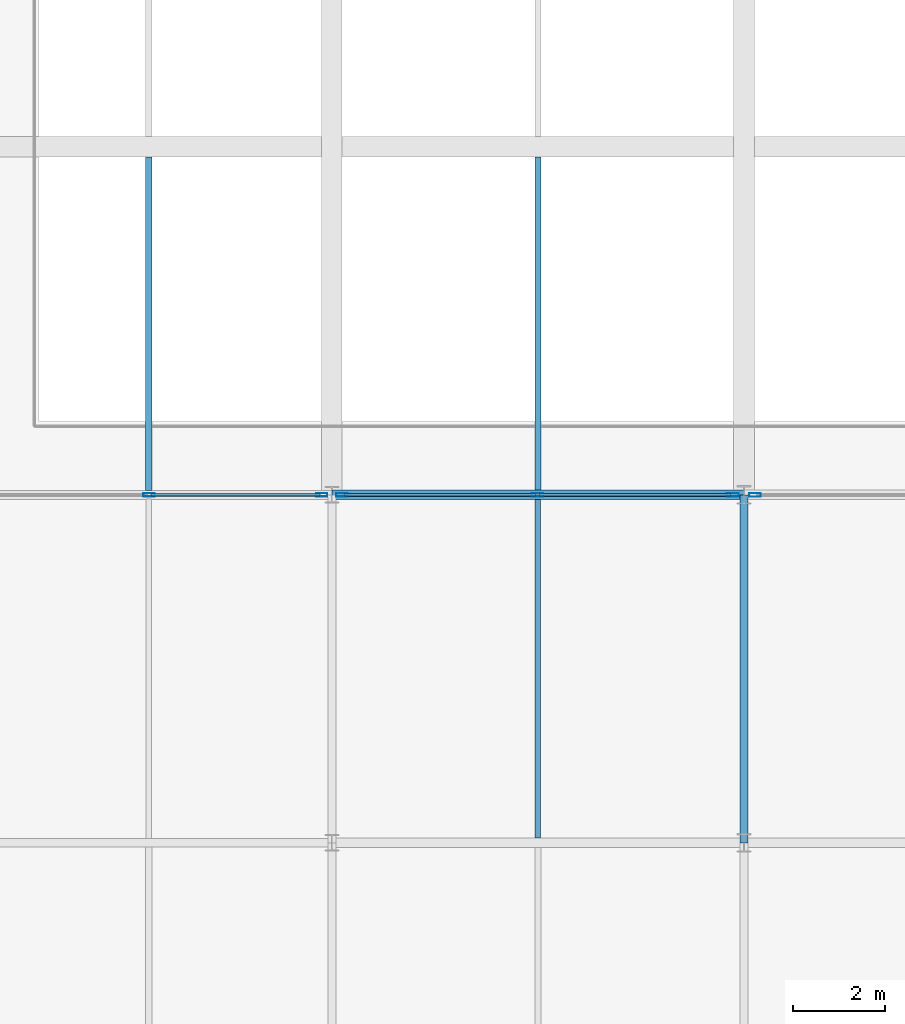
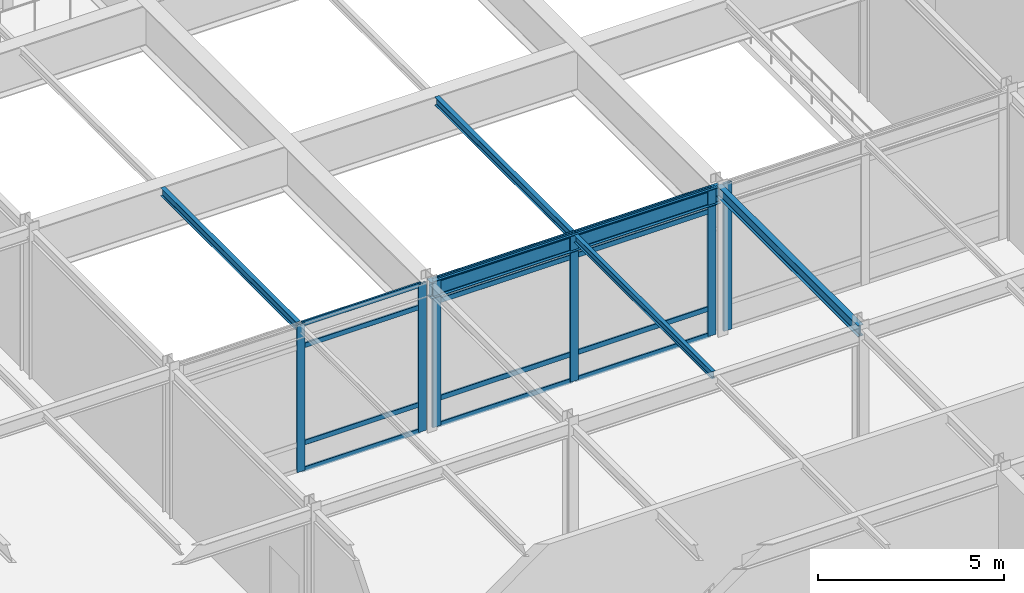
# One storey, part 27 of 79: 18 members, 5 beams, 3 elements without a shape of their own.
"""IFC4 building model written with IfcOpenShell, lengths in metres."""

from ifc_helpers import new_model, si_unit, direction, frame, origin, origin_2d, place, context, subcontext, project, spatial, hollow_rectangle, i_section, extrude, material, layer, layer_set, material_profile, profile_set, type_object, element, aggregate, save


model = new_model("IFC4")

# Units and contexts
model_context = context("Model", 3, precision=1e-05, world=origin(), true_north=direction((0.0, 1.0)))
body_context = subcontext(model_context, "Body", "Model", "MODEL_VIEW")
ifc_project = project(units=[si_unit("LENGTHUNIT", "METRE"), si_unit("AREAUNIT", "SQUARE_METRE"), si_unit("VOLUMEUNIT", "CUBIC_METRE"), si_unit("PLANEANGLEUNIT", "RADIAN"), si_unit("MASSUNIT", "GRAM", prefix="KILO")], contexts=[model_context])

# Site, building, storey
site_placement = place(None, origin())
site = spatial("IfcSite", under=ifc_project, at=site_placement, CompositionType="ELEMENT")
building_placement = place(site_placement, origin())
building = spatial("IfcBuilding", under=site, at=building_placement, Name="Shalkamar Park Central Library", CompositionType="ELEMENT")
storey_placement = place(building_placement, frame((0.0, 0.0, 10.5)))
storey = spatial("IfcBuildingStorey", under=building, at=storey_placement, Name="L03", CompositionType="ELEMENT", Elevation=10.5)

# Beams
ifc_material_1 = material(Name="Steel S355", Category="steel")
ifc_material_profile_1 = material_profile(ifc_material_1, i_section(OverallWidth=0.1201171875, OverallDepth=0.239990234375, WebThickness=0.006103515625, FlangeThickness=0.009765625, FilletRadius=0.014892578125, at=origin_2d()), Name="IPE 240")
ifc_profile_set_1 = profile_set([ifc_material_profile_1], Name="Steel S355")
beam_type_1 = type_object("IfcBeamType", Name="Composite Floor Joist IPE240", PredefinedType="JOIST", material=ifc_profile_set_1)
beam_1_placement = place(storey_placement, frame((241.5, 262.903076171875, 4.719970703125), z_axis=(0.0, 1.0, 0.0), x_axis=(-1.0, 0.0, 0.0)))
element("IfcBeam", 1, at=beam_1_placement, inside=storey, type_object=beam_type_1, Name="Composite Joist 16/D-1 (L03)", PredefinedType="JOIST", context=body_context, shape_type="SweptSolid", body=[
    extrude(i_section(OverallWidth=0.1201171875, OverallDepth=0.239990234375, WebThickness=0.006103515625, FlangeThickness=0.009765625, FilletRadius=0.014892578125, at=origin_2d()), origin(), (0.0, 0.0, 1.0), 7.39404296875),
])
ifc_material_profile_2 = material_profile(ifc_material_1, i_section(OverallWidth=0.135009765625, OverallDepth=0.27001953125, WebThickness=0.006591796875, FlangeThickness=0.01025390625, FilletRadius=0.014892578125, at=origin_2d()), Name="IPE 270")
ifc_profile_set_2 = profile_set([ifc_material_profile_2], Name="Steel S355")
beam_type_2 = type_object("IfcBeamType", Name="Composite Floor Joist IPE270", PredefinedType="JOIST", material=ifc_profile_set_2)
beam_2_placement = place(storey_placement, frame((233.0, 270.492919921875, 4.705078125), z_axis=(0.0, 1.0, 0.0), x_axis=(-1.0, 0.0, 0.0)))
element("IfcBeam", 2, at=beam_2_placement, inside=storey, type_object=beam_type_2, Name="Composite Joist 15/E-1 (L03)", PredefinedType="JOIST", context=body_context, shape_type="SweptSolid", body=[
    extrude(i_section(OverallWidth=0.135009765625, OverallDepth=0.27001953125, WebThickness=0.006591796875, FlangeThickness=0.01025390625, FilletRadius=0.014892578125, at=origin_2d()), origin(), (0.0, 0.0, 1.0), 7.2841796875),
])
beam_3_placement = place(storey_placement, frame((241.5, 270.5029296875, 4.705078125), z_axis=(0.0, 1.0, 0.0), x_axis=(-1.0, 0.0, 0.0)))
element("IfcBeam", 3, at=beam_3_placement, inside=storey, type_object=beam_type_2, Name="Composite Joist 16/E-1 (L03)", PredefinedType="JOIST", context=body_context, shape_type="SweptSolid", body=[
    extrude(i_section(OverallWidth=0.135009765625, OverallDepth=0.27001953125, WebThickness=0.006591796875, FlangeThickness=0.01025390625, FilletRadius=0.014892578125, at=origin_2d()), origin(), (0.0, 0.0, 1.0), 7.274169921875),
])

# Curtain wall, members
ifc_material_2 = material(Name="Thermally broken aluminium and triple low-e curtain wall", Category="aluminium")
ifc_layer_1 = layer(ifc_material_2, 0.25)
ifc_layer_set_1 = layer_set([ifc_layer_1], Name="AtriumGlazedScreen_120")
curtain_wall_type_1 = type_object("IfcCurtainWallType", Name="Atrium Glazed Screen 120", PredefinedType="USERDEFINED", material=ifc_layer_set_1)
curtain_wall_1_placement = place(storey_placement, origin())
curtain_wall_1 = element("IfcCurtainWall", 4, at=curtain_wall_1_placement, inside=storey, type_object=curtain_wall_type_1, Name="Atrium Glazed Screen CW-L03-177", ObjectType="ATRIUM GLAZED SCREEN", PredefinedType="USERDEFINED")
ifc_material_3 = material(Name="Aluminium 6060-T66", Category="aluminium")
ifc_material_profile_3 = material_profile(ifc_material_3, hollow_rectangle(XDim=0.074951171875, YDim=0.25, WallThickness=0.00390625, InnerFilletRadius=0.00390625, OuterFilletRadius=0.006103515625, at=origin_2d()), Name="ALU 75x250x4")
ifc_profile_set_3 = profile_set([ifc_material_profile_3], Name="Aluminium 6060-T66")
member_type_1 = type_object("IfcMemberType", Name="Curtain Wall Mullion ALU75x250", PredefinedType="MULLION", material=ifc_profile_set_3)
member_1_placement = place(storey_placement, frame((233.010009765625, 270.39990234375, 0.0), z_axis=(0.0, 0.0, 1.0), x_axis=(0.0, 1.0, 0.0)))
member_1 = element("IfcMember", 5, at=member_1_placement, type_object=member_type_1, Name="CW-120 mullion 2", PredefinedType="MULLION", context=body_context, shape_type="SweptSolid", body=[
    extrude(hollow_rectangle(XDim=0.074951171875, YDim=0.25, WallThickness=0.00390625, InnerFilletRadius=0.00390625, OuterFilletRadius=0.006103515625, at=origin_2d()), origin(), (0.0, 0.0, 1.0), 4.840087890625),
])
member_2_placement = place(storey_placement, frame((236.778564453125, 270.39990234375, 0.0), z_axis=(0.0, 0.0, 1.0), x_axis=(0.0, 1.0, 0.0)))
member_2 = element("IfcMember", 6, at=member_2_placement, type_object=member_type_1, Name="CW-120 mullion 3", PredefinedType="MULLION", context=body_context, shape_type="SweptSolid", body=[
    extrude(hollow_rectangle(XDim=0.074951171875, YDim=0.25, WallThickness=0.00390625, InnerFilletRadius=0.00390625, OuterFilletRadius=0.006103515625, at=origin_2d()), origin(), (0.0, 0.0, 1.0), 4.840087890625),
])

ifc_layer_2 = layer(ifc_material_2, 0.260009765625)
ifc_layer_set_2 = layer_set([ifc_layer_2], Name="AtriumGlazedScreen_121")
curtain_wall_type_2 = type_object("IfcCurtainWallType", Name="Atrium Glazed Screen 121", PredefinedType="USERDEFINED", material=ifc_layer_set_2)
curtain_wall_2_placement = place(storey_placement, origin())
curtain_wall_2 = element("IfcCurtainWall", 7, at=curtain_wall_2_placement, inside=storey, type_object=curtain_wall_type_2, Name="Atrium Glazed Screen CW-L03-178", ObjectType="ATRIUM GLAZED SCREEN", PredefinedType="USERDEFINED")
ifc_material_profile_4 = material_profile(ifc_material_3, hollow_rectangle(XDim=0.074951171875, YDim=0.260009765625, WallThickness=0.00439453125, InnerFilletRadius=0.00439453125, OuterFilletRadius=0.0068359375, at=origin_2d()), Name="ALU 75x260x4.5")
ifc_profile_set_4 = profile_set([ifc_material_profile_4], Name="Aluminium 6060-T66")
member_type_2 = type_object("IfcMemberType", Name="Curtain Wall Mullion ALU75x260", PredefinedType="MULLION", material=ifc_profile_set_4)
member_3_placement = place(storey_placement, frame((237.221435546875, 270.39990234375, 0.0), z_axis=(0.0, 0.0, 1.0), x_axis=(0.0, 1.0, 0.0)))
member_3 = element("IfcMember", 8, at=member_3_placement, type_object=member_type_2, Name="CW-121 mullion 1", PredefinedType="MULLION", context=body_context, shape_type="SweptSolid", body=[
    extrude(hollow_rectangle(XDim=0.074951171875, YDim=0.260009765625, WallThickness=0.00439453125, InnerFilletRadius=0.00439453125, OuterFilletRadius=0.0068359375, at=origin_2d()), origin(), (0.0, 0.0, 1.0), 4.840087890625),
])
member_4_placement = place(storey_placement, frame((241.489990234375, 270.39990234375, 0.0), z_axis=(0.0, 0.0, 1.0), x_axis=(0.0, 1.0, 0.0)))
member_4 = element("IfcMember", 9, at=member_4_placement, type_object=member_type_2, Name="CW-121 mullion 2", PredefinedType="MULLION", context=body_context, shape_type="SweptSolid", body=[
    extrude(hollow_rectangle(XDim=0.074951171875, YDim=0.260009765625, WallThickness=0.00439453125, InnerFilletRadius=0.00439453125, OuterFilletRadius=0.0068359375, at=origin_2d()), origin(), (0.0, 0.0, 1.0), 4.840087890625),
])
member_5_placement = place(storey_placement, frame((245.758544921875, 270.39990234375, 0.0), z_axis=(0.0, 0.0, 1.0), x_axis=(0.0, 1.0, 0.0)))
member_5 = element("IfcMember", 10, at=member_5_placement, type_object=member_type_2, Name="CW-121 mullion 3", PredefinedType="MULLION", context=body_context, shape_type="SweptSolid", body=[
    extrude(hollow_rectangle(XDim=0.074951171875, YDim=0.260009765625, WallThickness=0.00439453125, InnerFilletRadius=0.00439453125, OuterFilletRadius=0.0068359375, at=origin_2d()), origin(), (0.0, 0.0, 1.0), 4.840087890625),
])

# Curtain wall, member
ifc_layer_3 = layer(ifc_material_2, 0.2548828125)
ifc_layer_set_3 = layer_set([ifc_layer_3], Name="AtriumGlazedScreen_122")
curtain_wall_type_3 = type_object("IfcCurtainWallType", Name="Atrium Glazed Screen 122", PredefinedType="USERDEFINED", material=ifc_layer_set_3)
curtain_wall_3_placement = place(storey_placement, origin())
curtain_wall_3 = element("IfcCurtainWall", 11, at=curtain_wall_3_placement, inside=storey, type_object=curtain_wall_type_3, Name="Atrium Glazed Screen CW-L03-179", ObjectType="ATRIUM GLAZED SCREEN", PredefinedType="USERDEFINED")
ifc_material_profile_5 = material_profile(ifc_material_3, hollow_rectangle(XDim=0.080078125, YDim=0.2548828125, WallThickness=0.00439453125, InnerFilletRadius=0.00439453125, OuterFilletRadius=0.0068359375, at=origin_2d()), Name="ALU 80x255x4.5")
ifc_profile_set_5 = profile_set([ifc_material_profile_5], Name="Aluminium 6060-T66")
member_type_3 = type_object("IfcMemberType", Name="Curtain Wall Mullion ALU80x255", PredefinedType="MULLION", material=ifc_profile_set_5)
member_6_placement = place(storey_placement, frame((246.243896484375, 270.39990234375, 0.0), z_axis=(0.0, 0.0, 1.0), x_axis=(0.0, 1.0, 0.0)))
member_6 = element("IfcMember", 12, at=member_6_placement, type_object=member_type_3, Name="CW-122 mullion 1", PredefinedType="MULLION", context=body_context, shape_type="SweptSolid", body=[
    extrude(hollow_rectangle(XDim=0.080078125, YDim=0.2548828125, WallThickness=0.00439453125, InnerFilletRadius=0.00439453125, OuterFilletRadius=0.0068359375, at=origin_2d()), origin(), (0.0, 0.0, 1.0), 4.840087890625),
])
aggregate(curtain_wall_3, [member_6])

# Member
ifc_material_profile_6 = material_profile(ifc_material_3, hollow_rectangle(XDim=0.06005859375, YDim=0.159912109375, WallThickness=0.00390625, InnerFilletRadius=0.00390625, OuterFilletRadius=0.006103515625, at=origin_2d()), Name="ALU 60x160x4")
ifc_profile_set_6 = profile_set([ifc_material_profile_6], Name="Aluminium 6060-T66")
member_type_4 = type_object("IfcMemberType", Name="Curtain Wall Transom ALU60x160", PredefinedType="USERDEFINED", material=ifc_profile_set_6)
member_7_placement = place(storey_placement, frame((233.047607421875, 270.39990234375, 0.030029296875), z_axis=(1.0, 0.0, 0.0), x_axis=(0.0, 1.0, 0.0)))
member_7 = element("IfcMember", 13, at=member_7_placement, type_object=member_type_4, Name="CW-120 transom 2.1", ObjectType="TRANSOM", PredefinedType="USERDEFINED", context=body_context, shape_type="SweptSolid", body=[
    extrude(hollow_rectangle(XDim=0.06005859375, YDim=0.159912109375, WallThickness=0.00390625, InnerFilletRadius=0.00390625, OuterFilletRadius=0.006103515625, at=origin_2d()), origin(), (0.0, 0.0, 1.0), 3.693359375),
])

member_8_placement = place(storey_placement, frame((233.047607421875, 270.39990234375, 0.89990234375), z_axis=(1.0, 0.0, 0.0), x_axis=(0.0, 1.0, 0.0)))
member_8 = element("IfcMember", 14, at=member_8_placement, type_object=member_type_4, Name="CW-120 transom 2.2", ObjectType="TRANSOM", PredefinedType="USERDEFINED", context=body_context, shape_type="SweptSolid", body=[
    extrude(hollow_rectangle(XDim=0.06005859375, YDim=0.159912109375, WallThickness=0.00390625, InnerFilletRadius=0.00390625, OuterFilletRadius=0.006103515625, at=origin_2d()), origin(), (0.0, 0.0, 1.0), 3.693359375),
])

member_9_placement = place(storey_placement, frame((233.047607421875, 270.39990234375, 4.090087890625), z_axis=(1.0, 0.0, 0.0), x_axis=(0.0, 1.0, 0.0)))
member_9 = element("IfcMember", 15, at=member_9_placement, type_object=member_type_4, Name="CW-120 transom 2.3", ObjectType="TRANSOM", PredefinedType="USERDEFINED", context=body_context, shape_type="SweptSolid", body=[
    extrude(hollow_rectangle(XDim=0.06005859375, YDim=0.159912109375, WallThickness=0.00390625, InnerFilletRadius=0.00390625, OuterFilletRadius=0.006103515625, at=origin_2d()), origin(), (0.0, 0.0, 1.0), 3.693359375),
])

member_10_placement = place(storey_placement, frame((233.047607421875, 270.39990234375, 4.81005859375), z_axis=(1.0, 0.0, 0.0), x_axis=(0.0, 1.0, 0.0)))
member_10 = element("IfcMember", 16, at=member_10_placement, type_object=member_type_4, Name="CW-120 transom 2.4", ObjectType="TRANSOM", PredefinedType="USERDEFINED", context=body_context, shape_type="SweptSolid", body=[
    extrude(hollow_rectangle(XDim=0.06005859375, YDim=0.159912109375, WallThickness=0.00390625, InnerFilletRadius=0.00390625, OuterFilletRadius=0.006103515625, at=origin_2d()), origin(), (0.0, 0.0, 1.0), 3.693359375),
])

aggregate(curtain_wall_1, [member_1, member_2, member_7, member_8, member_9, member_10])

ifc_material_profile_7 = material_profile(ifc_material_3, hollow_rectangle(XDim=0.06005859375, YDim=0.1650390625, WallThickness=0.00390625, InnerFilletRadius=0.00390625, OuterFilletRadius=0.006103515625, at=origin_2d()), Name="ALU 60x165x4")
ifc_profile_set_7 = profile_set([ifc_material_profile_7], Name="Aluminium 6060-T66")
member_type_5 = type_object("IfcMemberType", Name="Curtain Wall Transom ALU60x165", PredefinedType="USERDEFINED", material=ifc_profile_set_7)
member_11_placement = place(storey_placement, frame((237.259033203125, 270.39990234375, 0.030029296875), z_axis=(1.0, 0.0, 0.0), x_axis=(0.0, 1.0, 0.0)))
member_11 = element("IfcMember", 17, at=member_11_placement, type_object=member_type_5, Name="CW-121 transom 1.1", ObjectType="TRANSOM", PredefinedType="USERDEFINED", context=body_context, shape_type="SweptSolid", body=[
    extrude(hollow_rectangle(XDim=0.06005859375, YDim=0.1650390625, WallThickness=0.00390625, InnerFilletRadius=0.00390625, OuterFilletRadius=0.006103515625, at=origin_2d()), origin(), (0.0, 0.0, 1.0), 4.193359375),
])

member_12_placement = place(storey_placement, frame((237.259033203125, 270.39990234375, 0.89990234375), z_axis=(1.0, 0.0, 0.0), x_axis=(0.0, 1.0, 0.0)))
member_12 = element("IfcMember", 18, at=member_12_placement, type_object=member_type_5, Name="CW-121 transom 1.2", ObjectType="TRANSOM", PredefinedType="USERDEFINED", context=body_context, shape_type="SweptSolid", body=[
    extrude(hollow_rectangle(XDim=0.06005859375, YDim=0.1650390625, WallThickness=0.00390625, InnerFilletRadius=0.00390625, OuterFilletRadius=0.006103515625, at=origin_2d()), origin(), (0.0, 0.0, 1.0), 4.193359375),
])

member_13_placement = place(storey_placement, frame((237.259033203125, 270.39990234375, 4.090087890625), z_axis=(1.0, 0.0, 0.0), x_axis=(0.0, 1.0, 0.0)))
member_13 = element("IfcMember", 19, at=member_13_placement, type_object=member_type_5, Name="CW-121 transom 1.3", ObjectType="TRANSOM", PredefinedType="USERDEFINED", context=body_context, shape_type="SweptSolid", body=[
    extrude(hollow_rectangle(XDim=0.06005859375, YDim=0.1650390625, WallThickness=0.00390625, InnerFilletRadius=0.00390625, OuterFilletRadius=0.006103515625, at=origin_2d()), origin(), (0.0, 0.0, 1.0), 4.193359375),
])

member_14_placement = place(storey_placement, frame((237.259033203125, 270.39990234375, 4.81005859375), z_axis=(1.0, 0.0, 0.0), x_axis=(0.0, 1.0, 0.0)))
member_14 = element("IfcMember", 20, at=member_14_placement, type_object=member_type_5, Name="CW-121 transom 1.4", ObjectType="TRANSOM", PredefinedType="USERDEFINED", context=body_context, shape_type="SweptSolid", body=[
    extrude(hollow_rectangle(XDim=0.06005859375, YDim=0.1650390625, WallThickness=0.00390625, InnerFilletRadius=0.00390625, OuterFilletRadius=0.006103515625, at=origin_2d()), origin(), (0.0, 0.0, 1.0), 4.193359375),
])

member_15_placement = place(storey_placement, frame((241.527587890625, 270.39990234375, 0.030029296875), z_axis=(1.0, 0.0, 0.0), x_axis=(0.0, 1.0, 0.0)))
member_15 = element("IfcMember", 21, at=member_15_placement, type_object=member_type_5, Name="CW-121 transom 2.1", ObjectType="TRANSOM", PredefinedType="USERDEFINED", context=body_context, shape_type="SweptSolid", body=[
    extrude(hollow_rectangle(XDim=0.06005859375, YDim=0.1650390625, WallThickness=0.00390625, InnerFilletRadius=0.00390625, OuterFilletRadius=0.006103515625, at=origin_2d()), origin(), (0.0, 0.0, 1.0), 4.193359375),
])

member_16_placement = place(storey_placement, frame((241.527587890625, 270.39990234375, 0.89990234375), z_axis=(1.0, 0.0, 0.0), x_axis=(0.0, 1.0, 0.0)))
member_16 = element("IfcMember", 22, at=member_16_placement, type_object=member_type_5, Name="CW-121 transom 2.2", ObjectType="TRANSOM", PredefinedType="USERDEFINED", context=body_context, shape_type="SweptSolid", body=[
    extrude(hollow_rectangle(XDim=0.06005859375, YDim=0.1650390625, WallThickness=0.00390625, InnerFilletRadius=0.00390625, OuterFilletRadius=0.006103515625, at=origin_2d()), origin(), (0.0, 0.0, 1.0), 4.193359375),
])

member_17_placement = place(storey_placement, frame((241.527587890625, 270.39990234375, 4.090087890625), z_axis=(1.0, 0.0, 0.0), x_axis=(0.0, 1.0, 0.0)))
member_17 = element("IfcMember", 23, at=member_17_placement, type_object=member_type_5, Name="CW-121 transom 2.3", ObjectType="TRANSOM", PredefinedType="USERDEFINED", context=body_context, shape_type="SweptSolid", body=[
    extrude(hollow_rectangle(XDim=0.06005859375, YDim=0.1650390625, WallThickness=0.00390625, InnerFilletRadius=0.00390625, OuterFilletRadius=0.006103515625, at=origin_2d()), origin(), (0.0, 0.0, 1.0), 4.193359375),
])

member_18_placement = place(storey_placement, frame((241.527587890625, 270.39990234375, 4.81005859375), z_axis=(1.0, 0.0, 0.0), x_axis=(0.0, 1.0, 0.0)))
member_18 = element("IfcMember", 24, at=member_18_placement, type_object=member_type_5, Name="CW-121 transom 2.4", ObjectType="TRANSOM", PredefinedType="USERDEFINED", context=body_context, shape_type="SweptSolid", body=[
    extrude(hollow_rectangle(XDim=0.06005859375, YDim=0.1650390625, WallThickness=0.00390625, InnerFilletRadius=0.00390625, OuterFilletRadius=0.006103515625, at=origin_2d()), origin(), (0.0, 0.0, 1.0), 4.193359375),
])

aggregate(curtain_wall_2, [member_3, member_4, member_5, member_11, member_12, member_13, member_14, member_15, member_16, member_17, member_18])

# Beams
ifc_material_profile_8 = material_profile(ifc_material_1, i_section(OverallWidth=0.169921875, OverallDepth=0.360107421875, WebThickness=0.008056640625, FlangeThickness=0.0126953125, FilletRadius=0.01806640625, at=origin_2d()), Name="IPE 360")
ifc_profile_set_8 = profile_set([ifc_material_profile_8], Name="Steel S355")
beam_type_3 = type_object("IfcBeamType", Name="Primary Girder IPE360", PredefinedType="BEAM", material=ifc_profile_set_8)
beam_4_placement = place(storey_placement, frame((246.0, 262.800048828125, 4.659912109375), z_axis=(0.0, 1.0, 0.0), x_axis=(-1.0, 0.0, 0.0)))
element("IfcBeam", 25, at=beam_4_placement, inside=storey, type_object=beam_type_3, Name="Beam 17:D-E (L03)", PredefinedType="BEAM", context=body_context, shape_type="SweptSolid", body=[
    extrude(i_section(OverallWidth=0.169921875, OverallDepth=0.360107421875, WebThickness=0.008056640625, FlangeThickness=0.0126953125, FilletRadius=0.01806640625, at=origin_2d()), origin(), (0.0, 0.0, 1.0), 7.599853515625),
])
ifc_material_profile_9 = material_profile(ifc_material_1, i_section(OverallWidth=0.2099609375, OverallDepth=0.550048828125, WebThickness=0.010986328125, FlangeThickness=0.01708984375, FilletRadius=0.02392578125, at=origin_2d()), Name="IPE 550")
ifc_profile_set_9 = profile_set([ifc_material_profile_9], Name="Steel S355")
beam_type_4 = type_object("IfcBeamType", Name="Primary Girder IPE550", PredefinedType="BEAM", material=ifc_profile_set_9)
beam_5_placement = place(storey_placement, frame((237.0, 270.39990234375, 4.56494140625), z_axis=(1.0, 0.0, 0.0), x_axis=(0.0, 1.0, 0.0)))
element("IfcBeam", 26, at=beam_5_placement, inside=storey, type_object=beam_type_4, Name="Beam E:16-17 (L03)", PredefinedType="BEAM", context=body_context, shape_type="SweptSolid", body=[
    extrude(i_section(OverallWidth=0.2099609375, OverallDepth=0.550048828125, WebThickness=0.010986328125, FlangeThickness=0.01708984375, FilletRadius=0.02392578125, at=origin_2d()), origin(), (0.0, 0.0, 1.0), 9.0),
])

save(model, "model.ifc")
